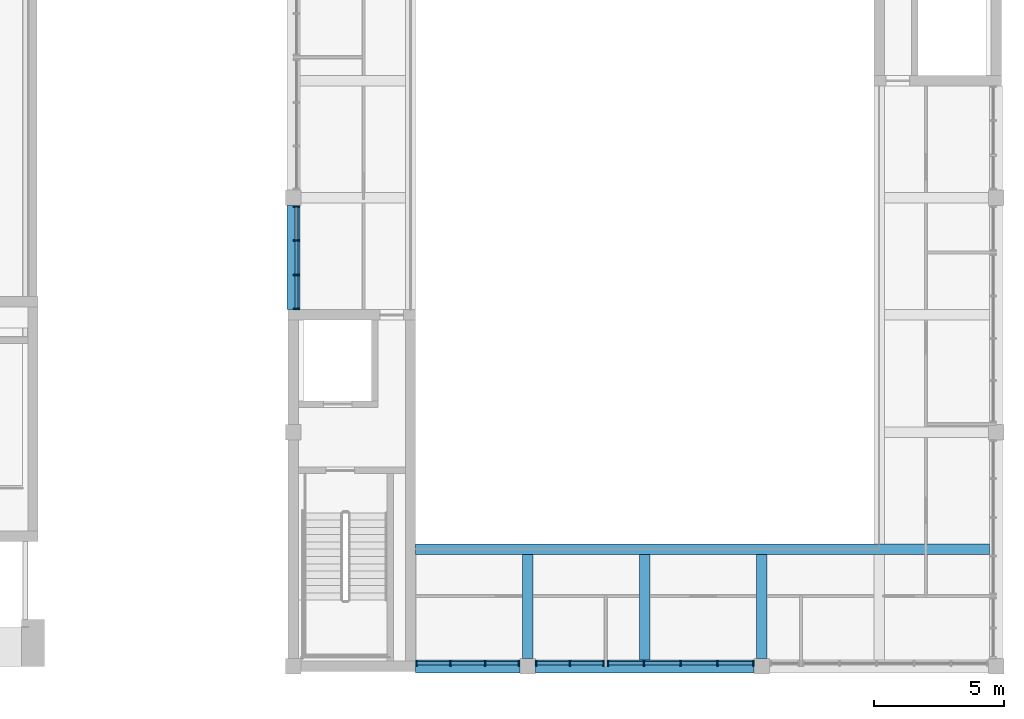
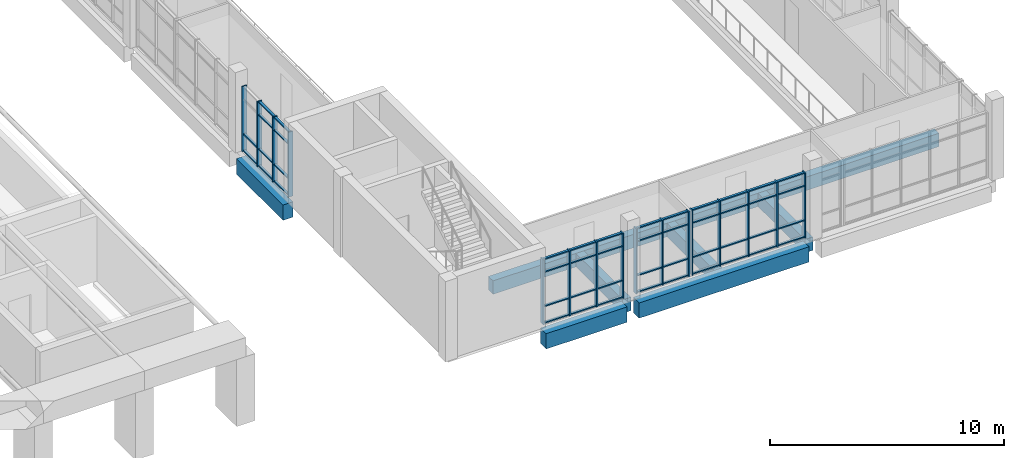
# One storey, part 2 of 92: 62 members, 7 beams, 4 elements without a shape of their own.
"""IFC4 building model written with IfcOpenShell, lengths in metres."""

from ifc_helpers import new_model, si_unit, direction, frame, origin, origin_2d, place, context, subcontext, project, spatial, rectangle, extrude, material, material_profile, profile_set, type_object, element, aggregate, save


model = new_model("IFC4")

# Units and contexts
model_context = context("Model", 3, precision=1e-05, world=origin(), true_north=direction((0.0, 1.0)))
body_context = subcontext(model_context, "Body", "Model", "MODEL_VIEW")
ifc_project = project(units=[si_unit("LENGTHUNIT", "METRE"), si_unit("AREAUNIT", "SQUARE_METRE"), si_unit("VOLUMEUNIT", "CUBIC_METRE"), si_unit("PLANEANGLEUNIT", "RADIAN"), si_unit("MASSUNIT", "GRAM", prefix="KILO")], contexts=[model_context])

# Site, building, storey
site_placement = place(None, origin())
site = spatial("IfcSite", under=ifc_project, at=site_placement, CompositionType="ELEMENT")
building_placement = place(site_placement, origin())
building = spatial("IfcBuilding", under=site, at=building_placement, Name="Merrow Basin Faculty of Sciences", CompositionType="ELEMENT")
storey_placement = place(building_placement, frame((0.0, 0.0, 4.5)))
storey = spatial("IfcBuildingStorey", under=building, at=storey_placement, Name="L01", CompositionType="ELEMENT", Elevation=4.5)

# Curtain wall, members
ifc_material_1 = material(Name="Aluminium alloy 6063", Category="aluminium")
curtain_wall_type = type_object("IfcCurtainWallType", Name="Atrium unitised curtain wall 240", PredefinedType="NOTDEFINED", material=ifc_material_1)
curtain_wall_1_placement = place(storey_placement, origin())
curtain_wall_1 = element("IfcCurtainWall", 1, at=curtain_wall_1_placement, inside=storey, type_object=curtain_wall_type, Name="W curtain wall L01 1", PredefinedType="NOTDEFINED")
ifc_material_2 = material(Name="Aluminium alloy 6063", Category="aluminium")
ifc_material_profile_1 = material_profile(ifc_material_2, rectangle(XDim=0.239990234375, YDim=0.06005859375, at=origin_2d()))
ifc_profile_set_1 = profile_set([ifc_material_profile_1], Name="Aluminium alloy 6063")
member_type_1 = type_object("IfcMemberType", Name="Aluminium mullion 60x240", PredefinedType="MULLION", material=ifc_profile_set_1)
member_1_placement = place(storey_placement, frame((45.1201171875, 13.72998046875, 0.0), z_axis=(0.0, 0.0, 1.0), x_axis=(-1.0, 0.0, 0.0)))
member_1 = element("IfcMember", 2, at=member_1_placement, type_object=member_type_1, Name="CW5 mullion 1", PredefinedType="MULLION", context=body_context, shape_type="SweptSolid", body=[
    extrude(rectangle(XDim=0.239990234375, YDim=0.06005859375, at=origin_2d()), origin(), (0.0, 0.0, 1.0), 3.39990234375),
])
member_2_placement = place(storey_placement, frame((45.1201171875, 15.033447265625, 0.0), z_axis=(0.0, 0.0, 1.0), x_axis=(-1.0, 0.0, 0.0)))
member_2 = element("IfcMember", 3, at=member_2_placement, type_object=member_type_1, Name="CW5 mullion 2", PredefinedType="MULLION", context=body_context, shape_type="SweptSolid", body=[
    extrude(rectangle(XDim=0.239990234375, YDim=0.06005859375, at=origin_2d()), origin(), (0.0, 0.0, 1.0), 3.39990234375),
])
member_3_placement = place(storey_placement, frame((45.1201171875, 16.36669921875, 0.0), z_axis=(0.0, 0.0, 1.0), x_axis=(-1.0, 0.0, 0.0)))
member_3 = element("IfcMember", 4, at=member_3_placement, type_object=member_type_1, Name="CW5 mullion 3", PredefinedType="MULLION", context=body_context, shape_type="SweptSolid", body=[
    extrude(rectangle(XDim=0.239990234375, YDim=0.06005859375, at=origin_2d()), origin(), (0.0, 0.0, 1.0), 3.39990234375),
])
member_4_placement = place(storey_placement, frame((45.1201171875, 17.669921875, 0.0), z_axis=(0.0, 0.0, 1.0), x_axis=(-1.0, 0.0, 0.0)))
member_4 = element("IfcMember", 5, at=member_4_placement, type_object=member_type_1, Name="CW5 mullion 4", PredefinedType="MULLION", context=body_context, shape_type="SweptSolid", body=[
    extrude(rectangle(XDim=0.239990234375, YDim=0.06005859375, at=origin_2d()), origin(), (0.0, 0.0, 1.0), 3.39990234375),
])

curtain_wall_2_placement = place(storey_placement, origin())
curtain_wall_2 = element("IfcCurtainWall", 6, at=curtain_wall_2_placement, inside=storey, type_object=curtain_wall_type, Name="S curtain wall L01 1", PredefinedType="NOTDEFINED")
member_5_placement = place(storey_placement, frame((49.72998046875, 0.1201171875, 0.0), z_axis=(0.0, 0.0, 1.0), x_axis=(0.0, 1.0, 0.0)))
member_5 = element("IfcMember", 7, at=member_5_placement, type_object=member_type_1, Name="CW5 mullion 1", PredefinedType="MULLION", context=body_context, shape_type="SweptSolid", body=[
    extrude(rectangle(XDim=0.239990234375, YDim=0.06005859375, at=origin_2d()), origin(), (0.0, 0.0, 1.0), 3.39990234375),
])
member_6_placement = place(storey_placement, frame((51.033447265625, 0.1201171875, 0.0), z_axis=(0.0, 0.0, 1.0), x_axis=(0.0, 1.0, 0.0)))
member_6 = element("IfcMember", 8, at=member_6_placement, type_object=member_type_1, Name="CW5 mullion 2", PredefinedType="MULLION", context=body_context, shape_type="SweptSolid", body=[
    extrude(rectangle(XDim=0.239990234375, YDim=0.06005859375, at=origin_2d()), origin(), (0.0, 0.0, 1.0), 3.39990234375),
])
member_7_placement = place(storey_placement, frame((52.36669921875, 0.1201171875, 0.0), z_axis=(0.0, 0.0, 1.0), x_axis=(0.0, 1.0, 0.0)))
member_7 = element("IfcMember", 9, at=member_7_placement, type_object=member_type_1, Name="CW5 mullion 3", PredefinedType="MULLION", context=body_context, shape_type="SweptSolid", body=[
    extrude(rectangle(XDim=0.239990234375, YDim=0.06005859375, at=origin_2d()), origin(), (0.0, 0.0, 1.0), 3.39990234375),
])
member_8_placement = place(storey_placement, frame((53.669921875, 0.1201171875, 0.0), z_axis=(0.0, 0.0, 1.0), x_axis=(0.0, 1.0, 0.0)))
member_8 = element("IfcMember", 10, at=member_8_placement, type_object=member_type_1, Name="CW5 mullion 4", PredefinedType="MULLION", context=body_context, shape_type="SweptSolid", body=[
    extrude(rectangle(XDim=0.239990234375, YDim=0.06005859375, at=origin_2d()), origin(), (0.0, 0.0, 1.0), 3.39990234375),
])

curtain_wall_3_placement = place(storey_placement, origin())
curtain_wall_3 = element("IfcCurtainWall", 11, at=curtain_wall_3_placement, inside=storey, type_object=curtain_wall_type, Name="S curtain wall L01 2", PredefinedType="NOTDEFINED")
member_9_placement = place(storey_placement, frame((54.330078125, 0.1201171875, 0.0), z_axis=(0.0, 0.0, 1.0), x_axis=(0.0, 1.0, 0.0)))
member_9 = element("IfcMember", 12, at=member_9_placement, type_object=member_type_1, Name="CW5 mullion 1", PredefinedType="MULLION", context=body_context, shape_type="SweptSolid", body=[
    extrude(rectangle(XDim=0.239990234375, YDim=0.06005859375, at=origin_2d()), origin(), (0.0, 0.0, 1.0), 3.39990234375),
])
member_10_placement = place(storey_placement, frame((55.625, 0.1201171875, 0.0), z_axis=(0.0, 0.0, 1.0), x_axis=(0.0, 1.0, 0.0)))
member_10 = element("IfcMember", 13, at=member_10_placement, type_object=member_type_1, Name="CW5 mullion 2", PredefinedType="MULLION", context=body_context, shape_type="SweptSolid", body=[
    extrude(rectangle(XDim=0.239990234375, YDim=0.06005859375, at=origin_2d()), origin(), (0.0, 0.0, 1.0), 3.39990234375),
])
member_11_placement = place(storey_placement, frame((56.919921875, 0.1201171875, 0.0), z_axis=(0.0, 0.0, 1.0), x_axis=(0.0, 1.0, 0.0)))
member_11 = element("IfcMember", 14, at=member_11_placement, type_object=member_type_1, Name="CW5 mullion 3", PredefinedType="MULLION", context=body_context, shape_type="SweptSolid", body=[
    extrude(rectangle(XDim=0.239990234375, YDim=0.06005859375, at=origin_2d()), origin(), (0.0, 0.0, 1.0), 3.39990234375),
])

curtain_wall_4_placement = place(storey_placement, origin())
curtain_wall_4 = element("IfcCurtainWall", 15, at=curtain_wall_4_placement, inside=storey, type_object=curtain_wall_type, Name="S curtain wall L01 3", PredefinedType="NOTDEFINED")
member_12_placement = place(storey_placement, frame((57.080078125, 0.1201171875, 0.0), z_axis=(0.0, 0.0, 1.0), x_axis=(0.0, 1.0, 0.0)))
member_12 = element("IfcMember", 16, at=member_12_placement, type_object=member_type_1, Name="CW5 mullion 1", PredefinedType="MULLION", context=body_context, shape_type="SweptSolid", body=[
    extrude(rectangle(XDim=0.239990234375, YDim=0.06005859375, at=origin_2d()), origin(), (0.0, 0.0, 1.0), 3.39990234375),
])
member_13_placement = place(storey_placement, frame((58.46240234375, 0.1201171875, 0.0), z_axis=(0.0, 0.0, 1.0), x_axis=(0.0, 1.0, 0.0)))
member_13 = element("IfcMember", 17, at=member_13_placement, type_object=member_type_1, Name="CW5 mullion 2", PredefinedType="MULLION", context=body_context, shape_type="SweptSolid", body=[
    extrude(rectangle(XDim=0.239990234375, YDim=0.06005859375, at=origin_2d()), origin(), (0.0, 0.0, 1.0), 3.39990234375),
])
member_14_placement = place(storey_placement, frame((59.875, 0.1201171875, 0.0), z_axis=(0.0, 0.0, 1.0), x_axis=(0.0, 1.0, 0.0)))
member_14 = element("IfcMember", 18, at=member_14_placement, type_object=member_type_1, Name="CW5 mullion 3", PredefinedType="MULLION", context=body_context, shape_type="SweptSolid", body=[
    extrude(rectangle(XDim=0.239990234375, YDim=0.06005859375, at=origin_2d()), origin(), (0.0, 0.0, 1.0), 3.39990234375),
])
member_15_placement = place(storey_placement, frame((61.28759765625, 0.1201171875, 0.0), z_axis=(0.0, 0.0, 1.0), x_axis=(0.0, 1.0, 0.0)))
member_15 = element("IfcMember", 19, at=member_15_placement, type_object=member_type_1, Name="CW5 mullion 4", PredefinedType="MULLION", context=body_context, shape_type="SweptSolid", body=[
    extrude(rectangle(XDim=0.239990234375, YDim=0.06005859375, at=origin_2d()), origin(), (0.0, 0.0, 1.0), 3.39990234375),
])
member_16_placement = place(storey_placement, frame((62.669921875, 0.1201171875, 0.0), z_axis=(0.0, 0.0, 1.0), x_axis=(0.0, 1.0, 0.0)))
member_16 = element("IfcMember", 20, at=member_16_placement, type_object=member_type_1, Name="CW5 mullion 5", PredefinedType="MULLION", context=body_context, shape_type="SweptSolid", body=[
    extrude(rectangle(XDim=0.239990234375, YDim=0.06005859375, at=origin_2d()), origin(), (0.0, 0.0, 1.0), 3.39990234375),
])

# Member
ifc_material_3 = material(Name="Aluminium alloy 6063", Category="aluminium")
ifc_material_profile_2 = material_profile(ifc_material_3, rectangle(XDim=0.1201171875, YDim=0.06005859375, at=origin_2d()))
ifc_profile_set_2 = profile_set([ifc_material_profile_2], Name="Aluminium alloy 6063")
member_type_2 = type_object("IfcMemberType", Name="Aluminium transom 60x120", PredefinedType="USERDEFINED", material=ifc_profile_set_2)
member_17_placement = place(storey_placement, frame((45.1201171875, 13.760009765625, 0.030029296875), z_axis=(0.0, 1.0, 0.0), x_axis=(-1.0, 0.0, 0.0)))
member_17 = element("IfcMember", 21, at=member_17_placement, type_object=member_type_2, Name="CW5 transom 1.1", ObjectType="TRANSOM", PredefinedType="USERDEFINED", context=body_context, shape_type="SweptSolid", body=[
    extrude(rectangle(XDim=0.1201171875, YDim=0.06005859375, at=origin_2d()), origin(), (0.0, 0.0, 1.0), 1.243408203125),
])

member_18_placement = place(storey_placement, frame((45.1201171875, 13.760009765625, 0.89990234375), z_axis=(0.0, 1.0, 0.0), x_axis=(-1.0, 0.0, 0.0)))
member_18 = element("IfcMember", 22, at=member_18_placement, type_object=member_type_2, Name="CW5 transom 1.2", ObjectType="TRANSOM", PredefinedType="USERDEFINED", context=body_context, shape_type="SweptSolid", body=[
    extrude(rectangle(XDim=0.1201171875, YDim=0.06005859375, at=origin_2d()), origin(), (0.0, 0.0, 1.0), 1.243408203125),
])

member_19_placement = place(storey_placement, frame((45.1201171875, 13.760009765625, 2.699951171875), z_axis=(0.0, 1.0, 0.0), x_axis=(-1.0, 0.0, 0.0)))
member_19 = element("IfcMember", 23, at=member_19_placement, type_object=member_type_2, Name="CW5 transom 1.3", ObjectType="TRANSOM", PredefinedType="USERDEFINED", context=body_context, shape_type="SweptSolid", body=[
    extrude(rectangle(XDim=0.1201171875, YDim=0.06005859375, at=origin_2d()), origin(), (0.0, 0.0, 1.0), 1.243408203125),
])

member_20_placement = place(storey_placement, frame((45.1201171875, 13.760009765625, 3.3701171875), z_axis=(0.0, 1.0, 0.0), x_axis=(-1.0, 0.0, 0.0)))
member_20 = element("IfcMember", 24, at=member_20_placement, type_object=member_type_2, Name="CW5 transom 1.4", ObjectType="TRANSOM", PredefinedType="USERDEFINED", context=body_context, shape_type="SweptSolid", body=[
    extrude(rectangle(XDim=0.1201171875, YDim=0.06005859375, at=origin_2d()), origin(), (0.0, 0.0, 1.0), 1.243408203125),
])

member_21_placement = place(storey_placement, frame((45.1201171875, 15.063232421875, 0.030029296875), z_axis=(0.0, 1.0, 0.0), x_axis=(-1.0, 0.0, 0.0)))
member_21 = element("IfcMember", 25, at=member_21_placement, type_object=member_type_2, Name="CW5 transom 2.1", ObjectType="TRANSOM", PredefinedType="USERDEFINED", context=body_context, shape_type="SweptSolid", body=[
    extrude(rectangle(XDim=0.1201171875, YDim=0.06005859375, at=origin_2d()), origin(), (0.0, 0.0, 1.0), 1.2734375),
])

member_22_placement = place(storey_placement, frame((45.1201171875, 15.063232421875, 0.89990234375), z_axis=(0.0, 1.0, 0.0), x_axis=(-1.0, 0.0, 0.0)))
member_22 = element("IfcMember", 26, at=member_22_placement, type_object=member_type_2, Name="CW5 transom 2.2", ObjectType="TRANSOM", PredefinedType="USERDEFINED", context=body_context, shape_type="SweptSolid", body=[
    extrude(rectangle(XDim=0.1201171875, YDim=0.06005859375, at=origin_2d()), origin(), (0.0, 0.0, 1.0), 1.2734375),
])

member_23_placement = place(storey_placement, frame((45.1201171875, 15.063232421875, 2.699951171875), z_axis=(0.0, 1.0, 0.0), x_axis=(-1.0, 0.0, 0.0)))
member_23 = element("IfcMember", 27, at=member_23_placement, type_object=member_type_2, Name="CW5 transom 2.3", ObjectType="TRANSOM", PredefinedType="USERDEFINED", context=body_context, shape_type="SweptSolid", body=[
    extrude(rectangle(XDim=0.1201171875, YDim=0.06005859375, at=origin_2d()), origin(), (0.0, 0.0, 1.0), 1.2734375),
])

member_24_placement = place(storey_placement, frame((45.1201171875, 15.063232421875, 3.3701171875), z_axis=(0.0, 1.0, 0.0), x_axis=(-1.0, 0.0, 0.0)))
member_24 = element("IfcMember", 28, at=member_24_placement, type_object=member_type_2, Name="CW5 transom 2.4", ObjectType="TRANSOM", PredefinedType="USERDEFINED", context=body_context, shape_type="SweptSolid", body=[
    extrude(rectangle(XDim=0.1201171875, YDim=0.06005859375, at=origin_2d()), origin(), (0.0, 0.0, 1.0), 1.2734375),
])

member_25_placement = place(storey_placement, frame((45.1201171875, 16.396728515625, 0.030029296875), z_axis=(0.0, 1.0, 0.0), x_axis=(-1.0, 0.0, 0.0)))
member_25 = element("IfcMember", 29, at=member_25_placement, type_object=member_type_2, Name="CW5 transom 3.1", ObjectType="TRANSOM", PredefinedType="USERDEFINED", context=body_context, shape_type="SweptSolid", body=[
    extrude(rectangle(XDim=0.1201171875, YDim=0.06005859375, at=origin_2d()), origin(), (0.0, 0.0, 1.0), 1.2431640625),
])

member_26_placement = place(storey_placement, frame((45.1201171875, 16.396728515625, 0.89990234375), z_axis=(0.0, 1.0, 0.0), x_axis=(-1.0, 0.0, 0.0)))
member_26 = element("IfcMember", 30, at=member_26_placement, type_object=member_type_2, Name="CW5 transom 3.2", ObjectType="TRANSOM", PredefinedType="USERDEFINED", context=body_context, shape_type="SweptSolid", body=[
    extrude(rectangle(XDim=0.1201171875, YDim=0.06005859375, at=origin_2d()), origin(), (0.0, 0.0, 1.0), 1.2431640625),
])

aggregate(curtain_wall_1, [member_1, member_2, member_3, member_4, member_17, member_18, member_19, member_20, member_21, member_22, member_23, member_24, member_25, member_26])

member_27_placement = place(storey_placement, frame((49.760009765625, 0.1201171875, 0.030029296875), z_axis=(1.0, 0.0, 0.0), x_axis=(0.0, 1.0, 0.0)))
member_27 = element("IfcMember", 31, at=member_27_placement, type_object=member_type_2, Name="CW5 transom 1.1", ObjectType="TRANSOM", PredefinedType="USERDEFINED", context=body_context, shape_type="SweptSolid", body=[
    extrude(rectangle(XDim=0.1201171875, YDim=0.06005859375, at=origin_2d()), origin(), (0.0, 0.0, 1.0), 1.243408203125),
])

member_28_placement = place(storey_placement, frame((49.760009765625, 0.1201171875, 0.89990234375), z_axis=(1.0, 0.0, 0.0), x_axis=(0.0, 1.0, 0.0)))
member_28 = element("IfcMember", 32, at=member_28_placement, type_object=member_type_2, Name="CW5 transom 1.2", ObjectType="TRANSOM", PredefinedType="USERDEFINED", context=body_context, shape_type="SweptSolid", body=[
    extrude(rectangle(XDim=0.1201171875, YDim=0.06005859375, at=origin_2d()), origin(), (0.0, 0.0, 1.0), 1.243408203125),
])

member_29_placement = place(storey_placement, frame((49.760009765625, 0.1201171875, 2.699951171875), z_axis=(1.0, 0.0, 0.0), x_axis=(0.0, 1.0, 0.0)))
member_29 = element("IfcMember", 33, at=member_29_placement, type_object=member_type_2, Name="CW5 transom 1.3", ObjectType="TRANSOM", PredefinedType="USERDEFINED", context=body_context, shape_type="SweptSolid", body=[
    extrude(rectangle(XDim=0.1201171875, YDim=0.06005859375, at=origin_2d()), origin(), (0.0, 0.0, 1.0), 1.243408203125),
])

member_30_placement = place(storey_placement, frame((49.760009765625, 0.1201171875, 3.3701171875), z_axis=(1.0, 0.0, 0.0), x_axis=(0.0, 1.0, 0.0)))
member_30 = element("IfcMember", 34, at=member_30_placement, type_object=member_type_2, Name="CW5 transom 1.4", ObjectType="TRANSOM", PredefinedType="USERDEFINED", context=body_context, shape_type="SweptSolid", body=[
    extrude(rectangle(XDim=0.1201171875, YDim=0.06005859375, at=origin_2d()), origin(), (0.0, 0.0, 1.0), 1.243408203125),
])

member_31_placement = place(storey_placement, frame((51.063232421875, 0.1201171875, 0.030029296875), z_axis=(1.0, 0.0, 0.0), x_axis=(0.0, 1.0, 0.0)))
member_31 = element("IfcMember", 35, at=member_31_placement, type_object=member_type_2, Name="CW5 transom 2.1", ObjectType="TRANSOM", PredefinedType="USERDEFINED", context=body_context, shape_type="SweptSolid", body=[
    extrude(rectangle(XDim=0.1201171875, YDim=0.06005859375, at=origin_2d()), origin(), (0.0, 0.0, 1.0), 1.2734375),
])

member_32_placement = place(storey_placement, frame((51.063232421875, 0.1201171875, 0.89990234375), z_axis=(1.0, 0.0, 0.0), x_axis=(0.0, 1.0, 0.0)))
member_32 = element("IfcMember", 36, at=member_32_placement, type_object=member_type_2, Name="CW5 transom 2.2", ObjectType="TRANSOM", PredefinedType="USERDEFINED", context=body_context, shape_type="SweptSolid", body=[
    extrude(rectangle(XDim=0.1201171875, YDim=0.06005859375, at=origin_2d()), origin(), (0.0, 0.0, 1.0), 1.2734375),
])

member_33_placement = place(storey_placement, frame((51.063232421875, 0.1201171875, 2.699951171875), z_axis=(1.0, 0.0, 0.0), x_axis=(0.0, 1.0, 0.0)))
member_33 = element("IfcMember", 37, at=member_33_placement, type_object=member_type_2, Name="CW5 transom 2.3", ObjectType="TRANSOM", PredefinedType="USERDEFINED", context=body_context, shape_type="SweptSolid", body=[
    extrude(rectangle(XDim=0.1201171875, YDim=0.06005859375, at=origin_2d()), origin(), (0.0, 0.0, 1.0), 1.2734375),
])

member_34_placement = place(storey_placement, frame((51.063232421875, 0.1201171875, 3.3701171875), z_axis=(1.0, 0.0, 0.0), x_axis=(0.0, 1.0, 0.0)))
member_34 = element("IfcMember", 38, at=member_34_placement, type_object=member_type_2, Name="CW5 transom 2.4", ObjectType="TRANSOM", PredefinedType="USERDEFINED", context=body_context, shape_type="SweptSolid", body=[
    extrude(rectangle(XDim=0.1201171875, YDim=0.06005859375, at=origin_2d()), origin(), (0.0, 0.0, 1.0), 1.2734375),
])

member_35_placement = place(storey_placement, frame((52.396728515625, 0.1201171875, 0.030029296875), z_axis=(1.0, 0.0, 0.0), x_axis=(0.0, 1.0, 0.0)))
member_35 = element("IfcMember", 39, at=member_35_placement, type_object=member_type_2, Name="CW5 transom 3.1", ObjectType="TRANSOM", PredefinedType="USERDEFINED", context=body_context, shape_type="SweptSolid", body=[
    extrude(rectangle(XDim=0.1201171875, YDim=0.06005859375, at=origin_2d()), origin(), (0.0, 0.0, 1.0), 1.2431640625),
])

member_36_placement = place(storey_placement, frame((52.396728515625, 0.1201171875, 0.89990234375), z_axis=(1.0, 0.0, 0.0), x_axis=(0.0, 1.0, 0.0)))
member_36 = element("IfcMember", 40, at=member_36_placement, type_object=member_type_2, Name="CW5 transom 3.2", ObjectType="TRANSOM", PredefinedType="USERDEFINED", context=body_context, shape_type="SweptSolid", body=[
    extrude(rectangle(XDim=0.1201171875, YDim=0.06005859375, at=origin_2d()), origin(), (0.0, 0.0, 1.0), 1.2431640625),
])

member_37_placement = place(storey_placement, frame((52.396728515625, 0.1201171875, 2.699951171875), z_axis=(1.0, 0.0, 0.0), x_axis=(0.0, 1.0, 0.0)))
member_37 = element("IfcMember", 41, at=member_37_placement, type_object=member_type_2, Name="CW5 transom 3.3", ObjectType="TRANSOM", PredefinedType="USERDEFINED", context=body_context, shape_type="SweptSolid", body=[
    extrude(rectangle(XDim=0.1201171875, YDim=0.06005859375, at=origin_2d()), origin(), (0.0, 0.0, 1.0), 1.2431640625),
])

member_38_placement = place(storey_placement, frame((52.396728515625, 0.1201171875, 3.3701171875), z_axis=(1.0, 0.0, 0.0), x_axis=(0.0, 1.0, 0.0)))
member_38 = element("IfcMember", 42, at=member_38_placement, type_object=member_type_2, Name="CW5 transom 3.4", ObjectType="TRANSOM", PredefinedType="USERDEFINED", context=body_context, shape_type="SweptSolid", body=[
    extrude(rectangle(XDim=0.1201171875, YDim=0.06005859375, at=origin_2d()), origin(), (0.0, 0.0, 1.0), 1.2431640625),
])

aggregate(curtain_wall_2, [member_5, member_6, member_7, member_8, member_27, member_28, member_29, member_30, member_31, member_32, member_33, member_34, member_35, member_36, member_37, member_38])

member_39_placement = place(storey_placement, frame((54.360107421875, 0.1201171875, 0.030029296875), z_axis=(1.0, 0.0, 0.0), x_axis=(0.0, 1.0, 0.0)))
member_39 = element("IfcMember", 43, at=member_39_placement, type_object=member_type_2, Name="CW5 transom 1.1", ObjectType="TRANSOM", PredefinedType="USERDEFINED", context=body_context, shape_type="SweptSolid", body=[
    extrude(rectangle(XDim=0.1201171875, YDim=0.06005859375, at=origin_2d()), origin(), (0.0, 0.0, 1.0), 1.23486328125),
])

member_40_placement = place(storey_placement, frame((54.360107421875, 0.1201171875, 0.89990234375), z_axis=(1.0, 0.0, 0.0), x_axis=(0.0, 1.0, 0.0)))
member_40 = element("IfcMember", 44, at=member_40_placement, type_object=member_type_2, Name="CW5 transom 1.2", ObjectType="TRANSOM", PredefinedType="USERDEFINED", context=body_context, shape_type="SweptSolid", body=[
    extrude(rectangle(XDim=0.1201171875, YDim=0.06005859375, at=origin_2d()), origin(), (0.0, 0.0, 1.0), 1.23486328125),
])

member_41_placement = place(storey_placement, frame((54.360107421875, 0.1201171875, 2.699951171875), z_axis=(1.0, 0.0, 0.0), x_axis=(0.0, 1.0, 0.0)))
member_41 = element("IfcMember", 45, at=member_41_placement, type_object=member_type_2, Name="CW5 transom 1.3", ObjectType="TRANSOM", PredefinedType="USERDEFINED", context=body_context, shape_type="SweptSolid", body=[
    extrude(rectangle(XDim=0.1201171875, YDim=0.06005859375, at=origin_2d()), origin(), (0.0, 0.0, 1.0), 1.23486328125),
])

member_42_placement = place(storey_placement, frame((54.360107421875, 0.1201171875, 3.3701171875), z_axis=(1.0, 0.0, 0.0), x_axis=(0.0, 1.0, 0.0)))
member_42 = element("IfcMember", 46, at=member_42_placement, type_object=member_type_2, Name="CW5 transom 1.4", ObjectType="TRANSOM", PredefinedType="USERDEFINED", context=body_context, shape_type="SweptSolid", body=[
    extrude(rectangle(XDim=0.1201171875, YDim=0.06005859375, at=origin_2d()), origin(), (0.0, 0.0, 1.0), 1.23486328125),
])

member_43_placement = place(storey_placement, frame((55.655029296875, 0.1201171875, 0.030029296875), z_axis=(1.0, 0.0, 0.0), x_axis=(0.0, 1.0, 0.0)))
member_43 = element("IfcMember", 47, at=member_43_placement, type_object=member_type_2, Name="CW5 transom 2.1", ObjectType="TRANSOM", PredefinedType="USERDEFINED", context=body_context, shape_type="SweptSolid", body=[
    extrude(rectangle(XDim=0.1201171875, YDim=0.06005859375, at=origin_2d()), origin(), (0.0, 0.0, 1.0), 1.23486328125),
])

member_44_placement = place(storey_placement, frame((55.655029296875, 0.1201171875, 0.89990234375), z_axis=(1.0, 0.0, 0.0), x_axis=(0.0, 1.0, 0.0)))
member_44 = element("IfcMember", 48, at=member_44_placement, type_object=member_type_2, Name="CW5 transom 2.2", ObjectType="TRANSOM", PredefinedType="USERDEFINED", context=body_context, shape_type="SweptSolid", body=[
    extrude(rectangle(XDim=0.1201171875, YDim=0.06005859375, at=origin_2d()), origin(), (0.0, 0.0, 1.0), 1.23486328125),
])

member_45_placement = place(storey_placement, frame((55.655029296875, 0.1201171875, 2.699951171875), z_axis=(1.0, 0.0, 0.0), x_axis=(0.0, 1.0, 0.0)))
member_45 = element("IfcMember", 49, at=member_45_placement, type_object=member_type_2, Name="CW5 transom 2.3", ObjectType="TRANSOM", PredefinedType="USERDEFINED", context=body_context, shape_type="SweptSolid", body=[
    extrude(rectangle(XDim=0.1201171875, YDim=0.06005859375, at=origin_2d()), origin(), (0.0, 0.0, 1.0), 1.23486328125),
])

member_46_placement = place(storey_placement, frame((55.655029296875, 0.1201171875, 3.3701171875), z_axis=(1.0, 0.0, 0.0), x_axis=(0.0, 1.0, 0.0)))
member_46 = element("IfcMember", 50, at=member_46_placement, type_object=member_type_2, Name="CW5 transom 2.4", ObjectType="TRANSOM", PredefinedType="USERDEFINED", context=body_context, shape_type="SweptSolid", body=[
    extrude(rectangle(XDim=0.1201171875, YDim=0.06005859375, at=origin_2d()), origin(), (0.0, 0.0, 1.0), 1.23486328125),
])

aggregate(curtain_wall_3, [member_9, member_10, member_11, member_39, member_40, member_41, member_42, member_43, member_44, member_45, member_46])

member_47_placement = place(storey_placement, frame((57.110107421875, 0.1201171875, 0.030029296875), z_axis=(1.0, 0.0, 0.0), x_axis=(0.0, 1.0, 0.0)))
member_47 = element("IfcMember", 51, at=member_47_placement, type_object=member_type_2, Name="CW5 transom 1.1", ObjectType="TRANSOM", PredefinedType="USERDEFINED", context=body_context, shape_type="SweptSolid", body=[
    extrude(rectangle(XDim=0.1201171875, YDim=0.06005859375, at=origin_2d()), origin(), (0.0, 0.0, 1.0), 1.322509765625),
])

member_48_placement = place(storey_placement, frame((57.110107421875, 0.1201171875, 0.89990234375), z_axis=(1.0, 0.0, 0.0), x_axis=(0.0, 1.0, 0.0)))
member_48 = element("IfcMember", 52, at=member_48_placement, type_object=member_type_2, Name="CW5 transom 1.2", ObjectType="TRANSOM", PredefinedType="USERDEFINED", context=body_context, shape_type="SweptSolid", body=[
    extrude(rectangle(XDim=0.1201171875, YDim=0.06005859375, at=origin_2d()), origin(), (0.0, 0.0, 1.0), 1.322509765625),
])

member_49_placement = place(storey_placement, frame((57.110107421875, 0.1201171875, 2.699951171875), z_axis=(1.0, 0.0, 0.0), x_axis=(0.0, 1.0, 0.0)))
member_49 = element("IfcMember", 53, at=member_49_placement, type_object=member_type_2, Name="CW5 transom 1.3", ObjectType="TRANSOM", PredefinedType="USERDEFINED", context=body_context, shape_type="SweptSolid", body=[
    extrude(rectangle(XDim=0.1201171875, YDim=0.06005859375, at=origin_2d()), origin(), (0.0, 0.0, 1.0), 1.322509765625),
])

member_50_placement = place(storey_placement, frame((57.110107421875, 0.1201171875, 3.3701171875), z_axis=(1.0, 0.0, 0.0), x_axis=(0.0, 1.0, 0.0)))
member_50 = element("IfcMember", 54, at=member_50_placement, type_object=member_type_2, Name="CW5 transom 1.4", ObjectType="TRANSOM", PredefinedType="USERDEFINED", context=body_context, shape_type="SweptSolid", body=[
    extrude(rectangle(XDim=0.1201171875, YDim=0.06005859375, at=origin_2d()), origin(), (0.0, 0.0, 1.0), 1.322509765625),
])

member_51_placement = place(storey_placement, frame((58.492431640625, 0.1201171875, 0.030029296875), z_axis=(1.0, 0.0, 0.0), x_axis=(0.0, 1.0, 0.0)))
member_51 = element("IfcMember", 55, at=member_51_placement, type_object=member_type_2, Name="CW5 transom 2.1", ObjectType="TRANSOM", PredefinedType="USERDEFINED", context=body_context, shape_type="SweptSolid", body=[
    extrude(rectangle(XDim=0.1201171875, YDim=0.06005859375, at=origin_2d()), origin(), (0.0, 0.0, 1.0), 1.3525390625),
])

member_52_placement = place(storey_placement, frame((58.492431640625, 0.1201171875, 0.89990234375), z_axis=(1.0, 0.0, 0.0), x_axis=(0.0, 1.0, 0.0)))
member_52 = element("IfcMember", 56, at=member_52_placement, type_object=member_type_2, Name="CW5 transom 2.2", ObjectType="TRANSOM", PredefinedType="USERDEFINED", context=body_context, shape_type="SweptSolid", body=[
    extrude(rectangle(XDim=0.1201171875, YDim=0.06005859375, at=origin_2d()), origin(), (0.0, 0.0, 1.0), 1.3525390625),
])

member_53_placement = place(storey_placement, frame((58.492431640625, 0.1201171875, 2.699951171875), z_axis=(1.0, 0.0, 0.0), x_axis=(0.0, 1.0, 0.0)))
member_53 = element("IfcMember", 57, at=member_53_placement, type_object=member_type_2, Name="CW5 transom 2.3", ObjectType="TRANSOM", PredefinedType="USERDEFINED", context=body_context, shape_type="SweptSolid", body=[
    extrude(rectangle(XDim=0.1201171875, YDim=0.06005859375, at=origin_2d()), origin(), (0.0, 0.0, 1.0), 1.3525390625),
])

member_54_placement = place(storey_placement, frame((58.492431640625, 0.1201171875, 3.3701171875), z_axis=(1.0, 0.0, 0.0), x_axis=(0.0, 1.0, 0.0)))
member_54 = element("IfcMember", 58, at=member_54_placement, type_object=member_type_2, Name="CW5 transom 2.4", ObjectType="TRANSOM", PredefinedType="USERDEFINED", context=body_context, shape_type="SweptSolid", body=[
    extrude(rectangle(XDim=0.1201171875, YDim=0.06005859375, at=origin_2d()), origin(), (0.0, 0.0, 1.0), 1.3525390625),
])

member_55_placement = place(storey_placement, frame((59.905029296875, 0.1201171875, 0.030029296875), z_axis=(1.0, 0.0, 0.0), x_axis=(0.0, 1.0, 0.0)))
member_55 = element("IfcMember", 59, at=member_55_placement, type_object=member_type_2, Name="CW5 transom 3.1", ObjectType="TRANSOM", PredefinedType="USERDEFINED", context=body_context, shape_type="SweptSolid", body=[
    extrude(rectangle(XDim=0.1201171875, YDim=0.06005859375, at=origin_2d()), origin(), (0.0, 0.0, 1.0), 1.3525390625),
])

member_56_placement = place(storey_placement, frame((59.905029296875, 0.1201171875, 0.89990234375), z_axis=(1.0, 0.0, 0.0), x_axis=(0.0, 1.0, 0.0)))
member_56 = element("IfcMember", 60, at=member_56_placement, type_object=member_type_2, Name="CW5 transom 3.2", ObjectType="TRANSOM", PredefinedType="USERDEFINED", context=body_context, shape_type="SweptSolid", body=[
    extrude(rectangle(XDim=0.1201171875, YDim=0.06005859375, at=origin_2d()), origin(), (0.0, 0.0, 1.0), 1.3525390625),
])

member_57_placement = place(storey_placement, frame((59.905029296875, 0.1201171875, 2.699951171875), z_axis=(1.0, 0.0, 0.0), x_axis=(0.0, 1.0, 0.0)))
member_57 = element("IfcMember", 61, at=member_57_placement, type_object=member_type_2, Name="CW5 transom 3.3", ObjectType="TRANSOM", PredefinedType="USERDEFINED", context=body_context, shape_type="SweptSolid", body=[
    extrude(rectangle(XDim=0.1201171875, YDim=0.06005859375, at=origin_2d()), origin(), (0.0, 0.0, 1.0), 1.3525390625),
])

member_58_placement = place(storey_placement, frame((59.905029296875, 0.1201171875, 3.3701171875), z_axis=(1.0, 0.0, 0.0), x_axis=(0.0, 1.0, 0.0)))
member_58 = element("IfcMember", 62, at=member_58_placement, type_object=member_type_2, Name="CW5 transom 3.4", ObjectType="TRANSOM", PredefinedType="USERDEFINED", context=body_context, shape_type="SweptSolid", body=[
    extrude(rectangle(XDim=0.1201171875, YDim=0.06005859375, at=origin_2d()), origin(), (0.0, 0.0, 1.0), 1.3525390625),
])

member_59_placement = place(storey_placement, frame((61.3173828125, 0.1201171875, 0.030029296875), z_axis=(1.0, 0.0, 0.0), x_axis=(0.0, 1.0, 0.0)))
member_59 = element("IfcMember", 63, at=member_59_placement, type_object=member_type_2, Name="CW5 transom 4.1", ObjectType="TRANSOM", PredefinedType="USERDEFINED", context=body_context, shape_type="SweptSolid", body=[
    extrude(rectangle(XDim=0.1201171875, YDim=0.06005859375, at=origin_2d()), origin(), (0.0, 0.0, 1.0), 1.322509765625),
])

member_60_placement = place(storey_placement, frame((61.3173828125, 0.1201171875, 0.89990234375), z_axis=(1.0, 0.0, 0.0), x_axis=(0.0, 1.0, 0.0)))
member_60 = element("IfcMember", 64, at=member_60_placement, type_object=member_type_2, Name="CW5 transom 4.2", ObjectType="TRANSOM", PredefinedType="USERDEFINED", context=body_context, shape_type="SweptSolid", body=[
    extrude(rectangle(XDim=0.1201171875, YDim=0.06005859375, at=origin_2d()), origin(), (0.0, 0.0, 1.0), 1.322509765625),
])

member_61_placement = place(storey_placement, frame((61.3173828125, 0.1201171875, 2.699951171875), z_axis=(1.0, 0.0, 0.0), x_axis=(0.0, 1.0, 0.0)))
member_61 = element("IfcMember", 65, at=member_61_placement, type_object=member_type_2, Name="CW5 transom 4.3", ObjectType="TRANSOM", PredefinedType="USERDEFINED", context=body_context, shape_type="SweptSolid", body=[
    extrude(rectangle(XDim=0.1201171875, YDim=0.06005859375, at=origin_2d()), origin(), (0.0, 0.0, 1.0), 1.322509765625),
])

member_62_placement = place(storey_placement, frame((61.3173828125, 0.1201171875, 3.3701171875), z_axis=(1.0, 0.0, 0.0), x_axis=(0.0, 1.0, 0.0)))
member_62 = element("IfcMember", 66, at=member_62_placement, type_object=member_type_2, Name="CW5 transom 4.4", ObjectType="TRANSOM", PredefinedType="USERDEFINED", context=body_context, shape_type="SweptSolid", body=[
    extrude(rectangle(XDim=0.1201171875, YDim=0.06005859375, at=origin_2d()), origin(), (0.0, 0.0, 1.0), 1.322509765625),
])

aggregate(curtain_wall_4, [member_12, member_13, member_14, member_15, member_16, member_47, member_48, member_49, member_50, member_51, member_52, member_53, member_54, member_55, member_56, member_57, member_58, member_59, member_60, member_61, member_62])

# Beams
ifc_material_4 = material(Name="Concrete C40/50", Category="concrete")
ifc_material_profile_3 = material_profile(ifc_material_4, rectangle(XDim=0.5, YDim=0.800048828125, at=origin_2d()))
ifc_profile_set_3 = profile_set([ifc_material_profile_3], Name="Concrete C40/50")
beam_type_1 = type_object("IfcBeamType", Name="Beam RC500x800 C40/50", PredefinedType="BEAM", material=ifc_profile_set_3)
beam_1_placement = place(storey_placement, frame((49.699951171875, 0.0, -0.699951171875), z_axis=(1.0, 0.0, 0.0), x_axis=(0.0, 1.0, 0.0)))
element("IfcBeam", 67, at=beam_1_placement, inside=storey, type_object=beam_type_1, Name="B4 L01 001", PredefinedType="BEAM", context=body_context, shape_type="SweptSolid", body=[
    extrude(rectangle(XDim=0.5, YDim=0.800048828125, at=origin_2d()), origin(), (0.0, 0.0, 1.0), 4.0),
])
beam_2_placement = place(storey_placement, frame((54.300048828125, 0.0, -0.699951171875), z_axis=(1.0, 0.0, 0.0), x_axis=(0.0, 1.0, 0.0)))
element("IfcBeam", 68, at=beam_2_placement, inside=storey, type_object=beam_type_1, Name="B4 L01 002", PredefinedType="BEAM", context=body_context, shape_type="SweptSolid", body=[
    extrude(rectangle(XDim=0.5, YDim=0.800048828125, at=origin_2d()), origin(), (0.0, 0.0, 1.0), 8.39990234375),
])
beam_3_placement = place(storey_placement, frame((45.0, 13.699951171875, -0.699951171875), z_axis=(0.0, 1.0, 0.0), x_axis=(-1.0, 0.0, 0.0)))
element("IfcBeam", 69, at=beam_3_placement, inside=storey, type_object=beam_type_1, Name="B4 L01 007", PredefinedType="BEAM", context=body_context, shape_type="SweptSolid", body=[
    extrude(rectangle(XDim=0.5, YDim=0.800048828125, at=origin_2d()), origin(), (0.0, 0.0, 1.0), 4.0),
])
ifc_material_5 = material(Name="Concrete C40/50", Category="concrete")
ifc_material_profile_4 = material_profile(ifc_material_5, rectangle(XDim=0.39990234375, YDim=0.699951171875, at=origin_2d()))
ifc_profile_set_4 = profile_set([ifc_material_profile_4], Name="Concrete C40/50")
beam_type_2 = type_object("IfcBeamType", Name="Gallery edge beam RC400x700 C40/50", PredefinedType="BEAM", material=ifc_profile_set_4)
beam_4_placement = place(storey_placement, frame((49.699951171875, 4.5, -0.64990234375), z_axis=(1.0, 0.0, 0.0), x_axis=(0.0, 1.0, 0.0)))
element("IfcBeam", 70, at=beam_4_placement, inside=storey, type_object=beam_type_2, Name="GB1 L01 013", PredefinedType="BEAM", context=body_context, shape_type="SweptSolid", body=[
    extrude(rectangle(XDim=0.39990234375, YDim=0.699951171875, at=origin_2d()), origin(), (0.0, 0.0, 1.0), 22.050048828125),
])
beam_5_placement = place(storey_placement, frame((54.0, 0.300048828125, -0.64990234375), z_axis=(0.0, 1.0, 0.0), x_axis=(-1.0, 0.0, 0.0)))
element("IfcBeam", 71, at=beam_5_placement, inside=storey, type_object=beam_type_2, Name="GB1 L01 019", PredefinedType="BEAM", context=body_context, shape_type="SweptSolid", body=[
    extrude(rectangle(XDim=0.39990234375, YDim=0.699951171875, at=origin_2d()), origin(), (0.0, 0.0, 1.0), 4.0),
])
beam_6_placement = place(storey_placement, frame((58.5, 0.25, -0.64990234375), z_axis=(0.0, 1.0, 0.0), x_axis=(-1.0, 0.0, 0.0)))
element("IfcBeam", 72, at=beam_6_placement, inside=storey, type_object=beam_type_2, Name="GB1 L01 021", PredefinedType="BEAM", context=body_context, shape_type="SweptSolid", body=[
    extrude(rectangle(XDim=0.39990234375, YDim=0.699951171875, at=origin_2d()), origin(), (0.0, 0.0, 1.0), 4.050048828125),
])
beam_7_placement = place(storey_placement, frame((63.0, 0.300048828125, -0.64990234375), z_axis=(0.0, 1.0, 0.0), x_axis=(-1.0, 0.0, 0.0)))
element("IfcBeam", 73, at=beam_7_placement, inside=storey, type_object=beam_type_2, Name="GB1 L01 023", PredefinedType="BEAM", context=body_context, shape_type="SweptSolid", body=[
    extrude(rectangle(XDim=0.39990234375, YDim=0.699951171875, at=origin_2d()), origin(), (0.0, 0.0, 1.0), 4.0),
])

save(model, "model.ifc")
